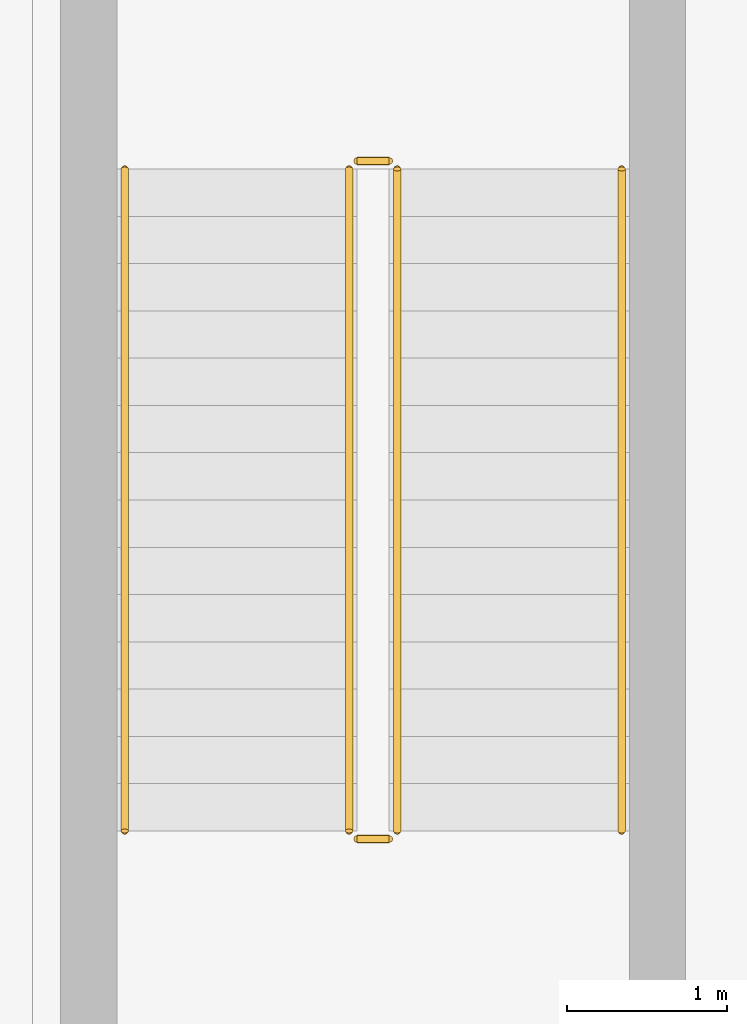
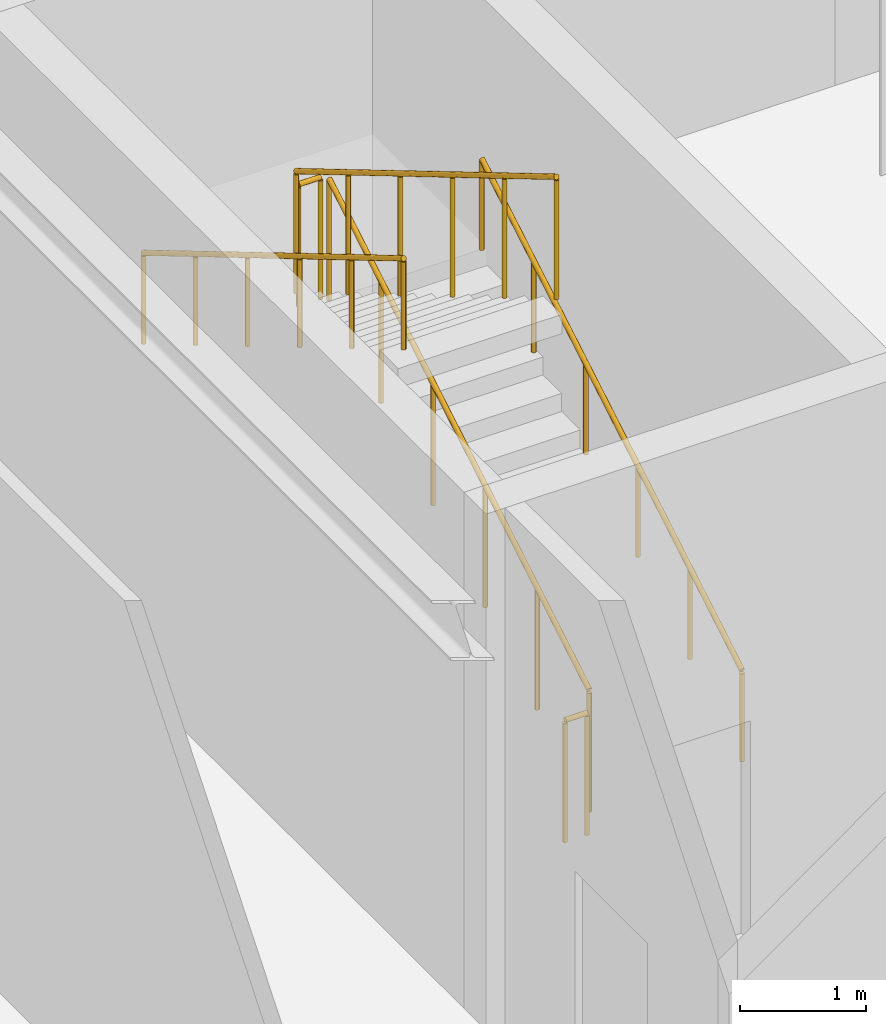
# One storey, part 102 of 109: 6 railings.
"""IFC4 building model written with IfcOpenShell, lengths in metres."""

from ifc_helpers import new_model, si_unit, direction, frame, origin, origin_2d, place, context, subcontext, project, spatial, circle, extrude, material, layer, layer_set, type_object, element, save


model = new_model("IFC4")

# Units and contexts
model_context = context("Model", 3, precision=1e-05, world=origin(), true_north=direction((0.0, 1.0)))
body_context = subcontext(model_context, "Body", "Model", "MODEL_VIEW")
ifc_project = project(units=[si_unit("LENGTHUNIT", "METRE"), si_unit("AREAUNIT", "SQUARE_METRE"), si_unit("VOLUMEUNIT", "CUBIC_METRE"), si_unit("PLANEANGLEUNIT", "RADIAN"), si_unit("MASSUNIT", "GRAM", prefix="KILO")], contexts=[model_context])

# Site, building, storey
site_placement = place(None, origin())
site = spatial("IfcSite", under=ifc_project, at=site_placement, CompositionType="ELEMENT")
building_placement = place(site_placement, origin())
building = spatial("IfcBuilding", under=site, at=building_placement, Name="Nordkorset Police Headquarters", CompositionType="ELEMENT")
storey_placement = place(building_placement, origin())
storey = spatial("IfcBuildingStorey", under=building, at=storey_placement, Name="L00", CompositionType="ELEMENT", Elevation=0.0)

# Railings
ifc_material_1 = material(Name="Steel S355J2", Category="steel")
ifc_layer_1 = layer(ifc_material_1, 0.048095703125, Name="Steel S355J2")
ifc_layer_set_1 = layer_set([ifc_layer_1], Name="Steel S355J2")
railing_type_1 = type_object("IfcRailingType", Name="Railing_Handrail_900", PredefinedType="HANDRAIL", material=ifc_layer_set_1)
railing_1_placement = place(storey_placement, frame((61.925048828125, 6.304931640625, 0.175048828125)))
element("IfcRailing", 1, at=railing_1_placement, inside=storey, type_object=railing_type_1, Name="L00 ST-10 stair handrail 1", PredefinedType="HANDRAIL", context=body_context, shape_type="SweptSolid", body=[
    extrude(circle(Radius=0.02392578125, at=origin_2d()), frame((0.0, 0.0, 0.8759765625), z_axis=(0.0, 0.860065997128, 0.510182791345), x_axis=(-1.0, 0.0, 0.0)), (0.0, 0.0, 1.0), 4.802001953125),
    extrude(circle(Radius=0.02099609375, at=origin_2d()), origin(), (0.0, 0.0, 1.0), 0.851806640625),
    extrude(circle(Radius=0.02099609375, at=origin_2d()), frame((0.0, 0.825927734375, 0.489990234375)), (0.0, 0.0, 1.0), 0.851806640625),
    extrude(circle(Radius=0.02099609375, at=origin_2d()), frame((0.0, 1.652099609375, 0.97998046875)), (0.0, 0.0, 1.0), 0.851806640625),
    extrude(circle(Radius=0.02099609375, at=origin_2d()), frame((0.0, 2.47802734375, 1.469970703125)), (0.0, 0.0, 1.0), 0.851806640625),
    extrude(circle(Radius=0.02099609375, at=origin_2d()), frame((0.0, 3.30419921875, 1.9599609375)), (0.0, 0.0, 1.0), 0.851806640625),
    extrude(circle(Radius=0.02099609375, at=origin_2d()), frame((0.0, 4.130126953125, 2.449951171875)), (0.0, 0.0, 1.0), 0.851806640625),
])
railing_2_placement = place(storey_placement, frame((58.824951171875, 10.43505859375, 2.800048828125)))
element("IfcRailing", 2, at=railing_2_placement, inside=storey, type_object=railing_type_1, Name="L00 ST-10 stair handrail 2", PredefinedType="HANDRAIL", context=body_context, shape_type="SweptSolid", body=[
    extrude(circle(Radius=0.02392578125, at=origin_2d()), frame((0.0, 0.0, 0.8759765625), z_axis=(0.0, -0.860065997128, 0.510182791345), x_axis=(1.0, 0.0, 0.0)), (0.0, 0.0, 1.0), 4.802001953125),
    extrude(circle(Radius=0.02099609375, at=origin_2d()), origin(), (0.0, 0.0, 1.0), 0.851806640625),
    extrude(circle(Radius=0.02099609375, at=origin_2d()), frame((0.0, -0.825927734375, 0.489990234375)), (0.0, 0.0, 1.0), 0.851806640625),
    extrude(circle(Radius=0.02099609375, at=origin_2d()), frame((0.0, -1.652099609375, 0.97998046875)), (0.0, 0.0, 1.0), 0.851806640625),
    extrude(circle(Radius=0.02099609375, at=origin_2d()), frame((0.0, -2.47802734375, 1.469970703125)), (0.0, 0.0, 1.0), 0.851806640625),
    extrude(circle(Radius=0.02099609375, at=origin_2d()), frame((0.0, -3.30419921875, 1.9599609375)), (0.0, 0.0, 1.0), 0.851806640625),
    extrude(circle(Radius=0.02099609375, at=origin_2d()), frame((0.0, -4.130126953125, 2.449951171875)), (0.0, 0.0, 1.0), 0.851806640625),
])
ifc_material_2 = material(Name="Steel S355J2", Category="steel")
ifc_layer_2 = layer(ifc_material_2, 0.050048828125, Name="Steel S355J2")
ifc_layer_set_2 = layer_set([ifc_layer_2], Name="Steel S355J2")
railing_type_2 = type_object("IfcRailingType", Name="Railing_StairGuard_1200", PredefinedType="GUARDRAIL", material=ifc_layer_set_2)
railing_3_placement = place(storey_placement, frame((60.52490234375, 6.304931640625, 0.175048828125)))
element("IfcRailing", 3, at=railing_3_placement, inside=storey, type_object=railing_type_2, Name="L00 ST-10 stair guard 1", PredefinedType="GUARDRAIL", context=body_context, shape_type="SweptSolid", body=[
    extrude(circle(Radius=0.02392578125, at=origin_2d()), frame((0.0, 0.0, 1.17578125), z_axis=(0.0, 0.860065997128, 0.510182791345), x_axis=(-1.0, 0.0, 0.0)), (0.0, 0.0, 1.0), 4.802001953125),
    extrude(circle(Radius=0.02099609375, at=origin_2d()), origin(), (0.0, 0.0, 1.0), 1.15185546875),
    extrude(circle(Radius=0.02099609375, at=origin_2d()), frame((0.0, 0.825927734375, 0.489990234375)), (0.0, 0.0, 1.0), 1.15185546875),
    extrude(circle(Radius=0.02099609375, at=origin_2d()), frame((0.0, 1.652099609375, 0.97998046875)), (0.0, 0.0, 1.0), 1.15185546875),
    extrude(circle(Radius=0.02099609375, at=origin_2d()), frame((0.0, 2.47802734375, 1.469970703125)), (0.0, 0.0, 1.0), 1.15185546875),
    extrude(circle(Radius=0.02099609375, at=origin_2d()), frame((0.0, 3.30419921875, 1.9599609375)), (0.0, 0.0, 1.0), 1.15185546875),
    extrude(circle(Radius=0.02099609375, at=origin_2d()), frame((0.0, 4.130126953125, 2.449951171875)), (0.0, 0.0, 1.0), 1.15185546875),
])
railing_4_placement = place(storey_placement, frame((60.47509765625, 10.485107421875, 2.625)))
element("IfcRailing", 4, at=railing_4_placement, inside=storey, type_object=railing_type_2, Name="L00 ST-10 stair guard 2", PredefinedType="GUARDRAIL", context=body_context, shape_type="SweptSolid", body=[
    extrude(circle(Radius=0.02392578125, at=origin_2d()), frame((0.0, 0.0, 1.17578125), z_axis=(-1.0, 0.0, 0.0), x_axis=(0.0, -1.0, 0.0)), (0.0, 0.0, 1.0), 0.2001953125),
    extrude(circle(Radius=0.02099609375, at=origin_2d()), origin(), (0.0, 0.0, 1.0), 1.15185546875),
    extrude(circle(Radius=0.02099609375, at=origin_2d()), frame((-0.2001953125, 0.0, 0.0)), (0.0, 0.0, 1.0), 1.15185546875),
])
railing_5_placement = place(storey_placement, frame((60.22509765625, 10.43505859375, 2.800048828125)))
element("IfcRailing", 5, at=railing_5_placement, inside=storey, type_object=railing_type_2, Name="L00 ST-10 stair guard 3", PredefinedType="GUARDRAIL", context=body_context, shape_type="SweptSolid", body=[
    extrude(circle(Radius=0.02392578125, at=origin_2d()), frame((0.0, 0.0, 1.17578125), z_axis=(0.0, -0.860065997128, 0.510182791345), x_axis=(1.0, 0.0, 0.0)), (0.0, 0.0, 1.0), 4.802001953125),
    extrude(circle(Radius=0.02099609375, at=origin_2d()), origin(), (0.0, 0.0, 1.0), 1.15185546875),
    extrude(circle(Radius=0.02099609375, at=origin_2d()), frame((0.0, -0.825927734375, 0.489990234375)), (0.0, 0.0, 1.0), 1.15185546875),
    extrude(circle(Radius=0.02099609375, at=origin_2d()), frame((0.0, -1.652099609375, 0.97998046875)), (0.0, 0.0, 1.0), 1.15185546875),
    extrude(circle(Radius=0.02099609375, at=origin_2d()), frame((0.0, -2.47802734375, 1.469970703125)), (0.0, 0.0, 1.0), 1.15185546875),
    extrude(circle(Radius=0.02099609375, at=origin_2d()), frame((0.0, -3.30419921875, 1.9599609375)), (0.0, 0.0, 1.0), 1.15185546875),
    extrude(circle(Radius=0.02099609375, at=origin_2d()), frame((0.0, -4.130126953125, 2.449951171875)), (0.0, 0.0, 1.0), 1.15185546875),
])
railing_6_placement = place(storey_placement, frame((60.47509765625, 6.2548828125, 0.0)))
element("IfcRailing", 6, at=railing_6_placement, inside=storey, type_object=railing_type_2, Name="L00 ST-10 stair guard 4", PredefinedType="GUARDRAIL", context=body_context, shape_type="SweptSolid", body=[
    extrude(circle(Radius=0.02392578125, at=origin_2d()), frame((0.0, 0.0, 1.17578125), z_axis=(-1.0, 0.0, 0.0), x_axis=(0.0, -1.0, 0.0)), (0.0, 0.0, 1.0), 0.2001953125),
    extrude(circle(Radius=0.02099609375, at=origin_2d()), origin(), (0.0, 0.0, 1.0), 1.15185546875),
    extrude(circle(Radius=0.02099609375, at=origin_2d()), frame((-0.2001953125, 0.0, 0.0)), (0.0, 0.0, 1.0), 1.15185546875),
])

save(model, "model.ifc")
